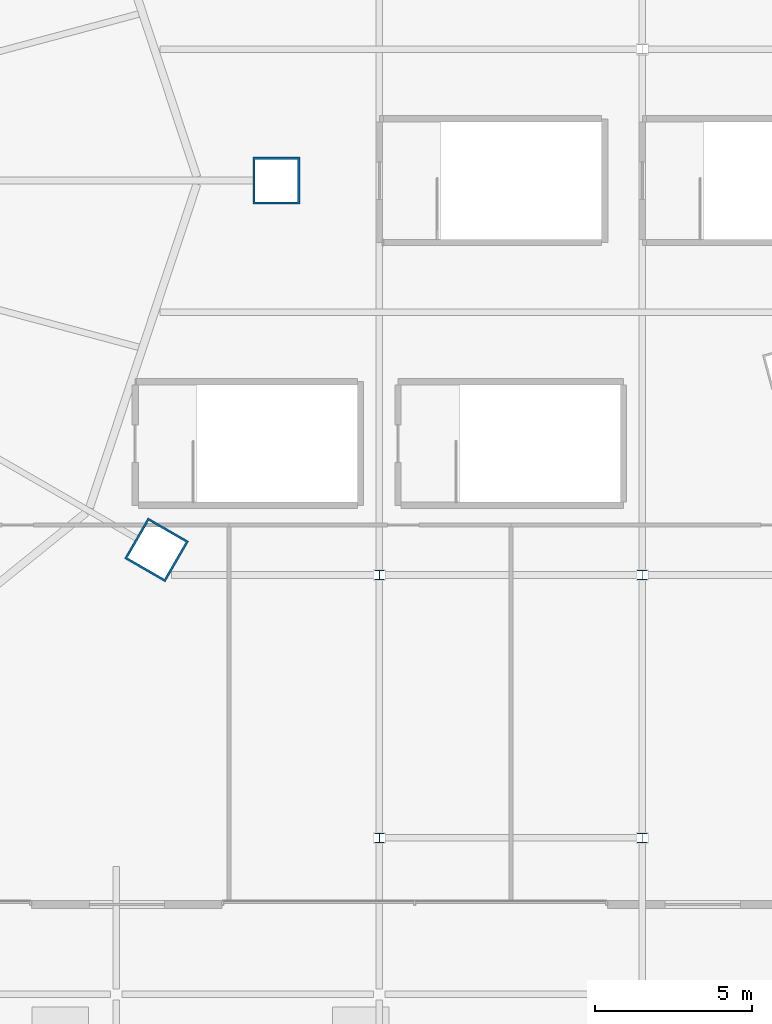
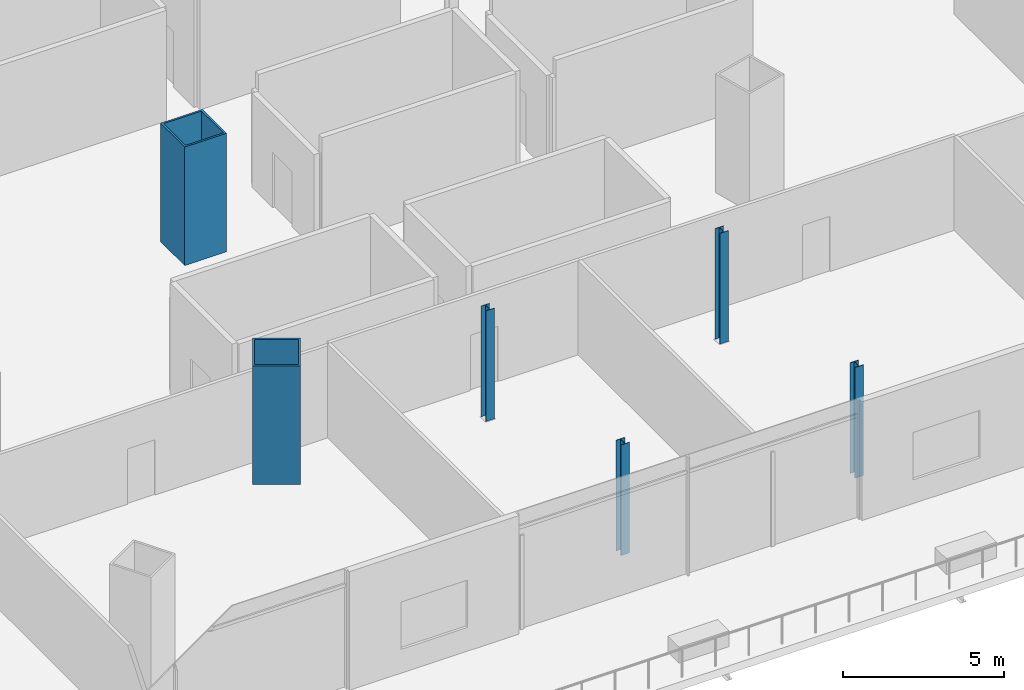
# One storey, part 2 of 49: 6 columns.
"""IFC4 building model written with IfcOpenShell, lengths in metres."""

from ifc_helpers import new_model, si_unit, direction, frame, origin, origin_2d, place, context, subcontext, project, spatial, hollow_rectangle, i_section, extrude, material, material_profile, profile_set, type_object, element, save


model = new_model("IFC4")

# Units and contexts
model_context = context("Model", 3, precision=1e-05, world=origin(), true_north=direction((0.0, 1.0)))
body_context = subcontext(model_context, "Body", "Model", "MODEL_VIEW")
ifc_project = project(units=[si_unit("LENGTHUNIT", "METRE"), si_unit("AREAUNIT", "SQUARE_METRE"), si_unit("VOLUMEUNIT", "CUBIC_METRE"), si_unit("PLANEANGLEUNIT", "RADIAN"), si_unit("MASSUNIT", "GRAM", prefix="KILO")], contexts=[model_context])

# Site, building, storey
site_placement = place(None, origin())
site = spatial("IfcSite", under=ifc_project, at=site_placement, CompositionType="ELEMENT")
building_placement = place(site_placement, origin())
building = spatial("IfcBuilding", under=site, at=building_placement, Name="Rimbun Link Towers", CompositionType="ELEMENT")
storey_placement = place(building_placement, frame((0.0, 0.0, 25.5)))
storey = spatial("IfcBuildingStorey", under=building, at=storey_placement, Name="L05", CompositionType="ELEMENT", Elevation=25.5)

# Columns
ifc_material_1 = material(Name="Steel S460N", Category="steel")
ifc_material_profile_1 = material_profile(ifc_material_1, hollow_rectangle(XDim=1.5, YDim=1.5, WallThickness=0.070068359375, at=origin_2d()), Name="BOX 1500x1500x70")
ifc_profile_set_1 = profile_set([ifc_material_profile_1], Name="Steel S460N")
column_type_1 = type_object("IfcColumnType", Name="BOX 1500x1500x70", PredefinedType="COLUMN", material=ifc_profile_set_1)
for number, where, z_axis, x_axis, name in (
    (1, (-7.4873046875, 0.0, 0.0), (0.0, 0.0, 1.0), (1.0, 0.0, 0.0), "Mega column T1 L05 00"),
    (2, (-11.316650390625, -11.797119140625, 0.0), (0.0, 0.0, 1.0), (0.866025403784, -0.5, 0.0), "Mega column T1 L05 22"),
):
    element("IfcColumn", number, at=place(storey_placement, frame(where, z_axis=z_axis, x_axis=x_axis)), inside=storey, type_object=column_type_1, Name=name, PredefinedType="COLUMN", context=body_context, shape_type="SweptSolid", body=[
        extrude(hollow_rectangle(XDim=1.5, YDim=1.5, WallThickness=0.070068359375, at=origin_2d()), origin(), (0.0, 0.0, 1.0), 4.5),
    ])
ifc_material_2 = material(Name="Steel S355J2", Category="steel")
ifc_material_profile_2 = material_profile(ifc_material_2, i_section(OverallWidth=0.307373046875, OverallDepth=0.314453125, WebThickness=0.011962890625, FlangeThickness=0.018798828125, at=origin_2d()), Name="UC 305x305x118")
ifc_profile_set_2 = profile_set([ifc_material_profile_2], Name="Steel S355J2")
column_type_2 = type_object("IfcColumnType", Name="UC 305x305x118", PredefinedType="COLUMN", material=ifc_profile_set_2)
for number, where, z_axis, x_axis, name in (
    (3, (-4.199951171875, -21.0, 0.0), (0.0, 0.0, 1.0), (1.0, 0.0, 0.0), "Column L05 -4.2 -21.0"),
    (4, (-4.199951171875, -12.60009765625, 0.0), (0.0, 0.0, 1.0), (1.0, 0.0, 0.0), "Column L05 -4.2 -12.6"),
    (5, (4.199951171875, -21.0, 0.0), (0.0, 0.0, 1.0), (1.0, 0.0, 0.0), "Column L05 +4.2 -21.0"),
    (6, (4.199951171875, -12.60009765625, 0.0), (0.0, 0.0, 1.0), (1.0, 0.0, 0.0), "Column L05 +4.2 -12.6"),
):
    element("IfcColumn", number, at=place(storey_placement, frame(where, z_axis=z_axis, x_axis=x_axis)), inside=storey, type_object=column_type_2, Name=name, PredefinedType="COLUMN", context=body_context, shape_type="SweptSolid", body=[
        extrude(i_section(OverallWidth=0.307373046875, OverallDepth=0.314453125, WebThickness=0.011962890625, FlangeThickness=0.018798828125, at=origin_2d()), origin(), (0.0, 0.0, 1.0), 4.199951171875),
    ])

save(model, "model.ifc")
